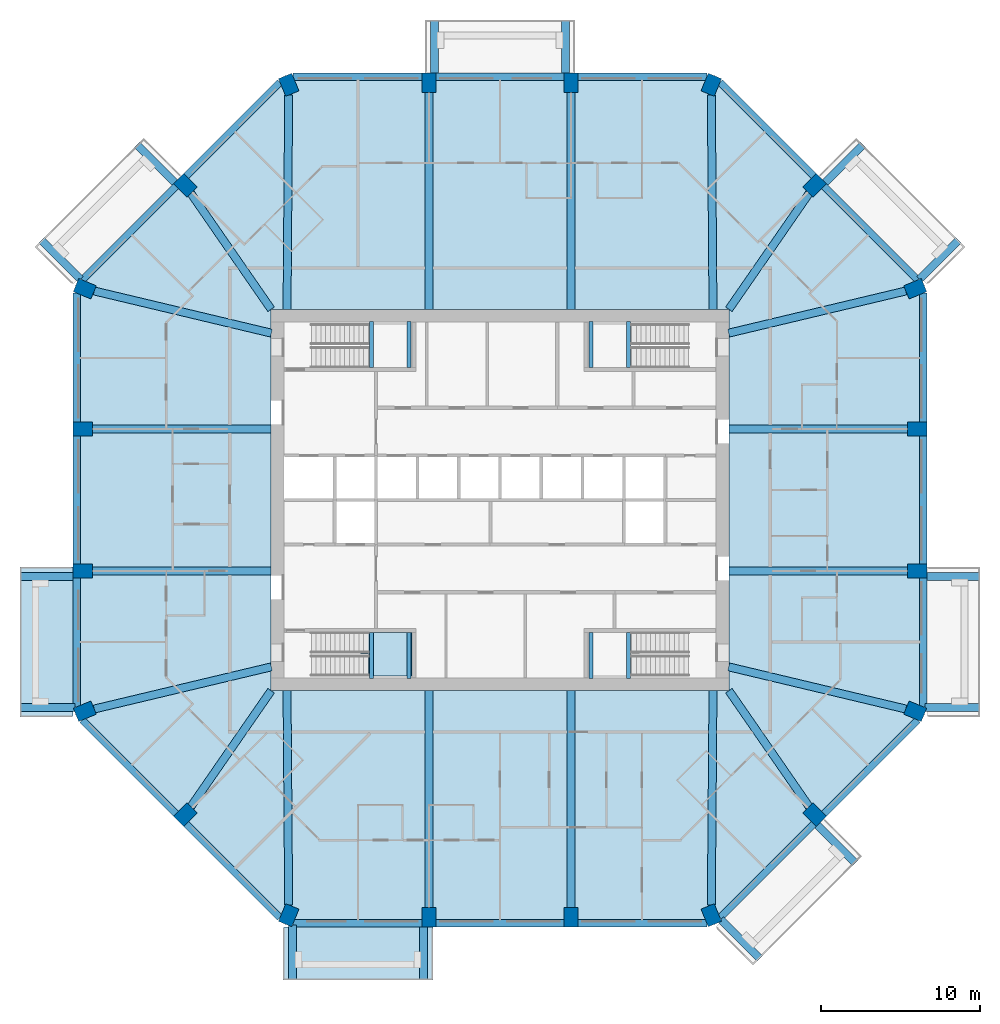
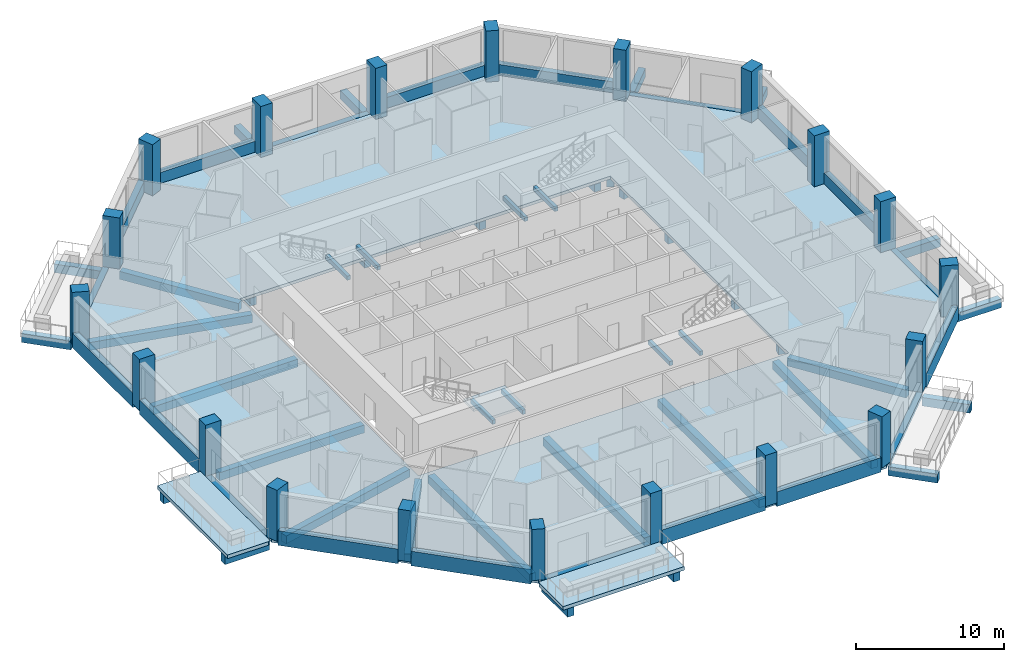
# One storey, part 1 of 12: 62 beams, 20 columns, 4 slabs, 1 element without a shape of its own.
"""IFC4 building model written with IfcOpenShell, lengths in metres."""

import ifcopenshell
import ifcopenshell.guid

model = None  # the IFC model being written
_history = None  # IfcOwnerHistory: only IFC2X3 demands one
_inside = {}  # id of a spatial element -> (the spatial element, [elements in it])
_under = {}  # id of a project, library or spatial element -> (it, [spatial elements below it])
_declared = {}  # id of a project -> (the project, [libraries it declares])
_typed = {}  # id of a type object -> (the type object, [elements of that type])
_made_of = {}  # id of a material, layer set ... -> (it, [elements and type objects made of it])


def new_model(schema):
    """Start an empty IFC model of exactly this schema.

    Asked for "IFC4X3", IfcOpenShell would pick the latest addendum, in which some entities
    have other attributes; the version numbers below select the first issue.
    IFC2X3 requires an IfcOwnerHistory on every rooted entity: one is made here for all.
    """
    global model, _history
    if schema == "IFC4X3":
        model = ifcopenshell.file(schema_version=(4, 3, 0, 0))
    else:
        model = ifcopenshell.file(schema=schema)
    _inside.clear()
    _under.clear()
    _declared.clear()
    _typed.clear()
    _made_of.clear()
    _history = None
    if model.schema == "IFC2X3":
        org = make("IfcOrganization", Name="unknown")
        user = make(
            "IfcPersonAndOrganization",
            ThePerson=make("IfcPerson", FamilyName="unknown"),
            TheOrganization=org,
        )
        app = make(
            "IfcApplication",
            ApplicationDeveloper=org,
            Version="unknown",
            ApplicationFullName="unknown",
            ApplicationIdentifier="unknown",
        )
        _history = make(
            "IfcOwnerHistory",
            OwningUser=user,
            OwningApplication=app,
            ChangeAction="ADDED",
            CreationDate=0,
        )
    return model


def make(cls, **values):
    """One entity of the class cls with the attributes given. An attribute that is None is left unset."""
    return model.create_entity(
        cls, **{name: value for name, value in values.items() if value is not None}
    )


def rooted(cls, **values):
    """An entity with a GlobalId (a new one), such as an element, a storey or a relation."""
    return make(cls, GlobalId=ifcopenshell.guid.new(), OwnerHistory=_history, **values)


def si_unit(unit_type, name, prefix=None):
    """IfcSIUnit, for example si_unit("LENGTHUNIT", "METRE", prefix="MILLI")."""
    return make("IfcSIUnit", UnitType=unit_type, Prefix=prefix, Name=name)


def assignment(units):
    """IfcUnitAssignment: the units of a project."""
    return None if units is None else make("IfcUnitAssignment", Units=units)


def point(xyz):
    """IfcCartesianPoint."""
    return None if xyz is None else make("IfcCartesianPoint", Coordinates=xyz)


def direction(xyz):
    """IfcDirection."""
    return None if xyz is None else make("IfcDirection", DirectionRatios=xyz)


def frame(location, z_axis=None, x_axis=None):
    """IfcAxis2Placement3D, a coordinate frame: its origin and axes. An axis left out is left unset."""
    return make(
        "IfcAxis2Placement3D",
        Location=point(location),
        Axis=direction(z_axis),
        RefDirection=direction(x_axis),
    )


def frame_2d(location, x_axis=None):
    """IfcAxis2Placement2D, a coordinate frame in the plane: its origin and x axis."""
    return make(
        "IfcAxis2Placement2D", Location=point(location), RefDirection=direction(x_axis)
    )


def origin():
    """The frame at (0, 0, 0) with its axes left unset."""
    return frame((0.0, 0.0, 0.0))


def origin_2d():
    """The frame at (0, 0) in the plane with its x axis left unset."""
    return frame_2d((0.0, 0.0))


def place(relative_to, where):
    """IfcLocalPlacement: puts the frame where relative to a parent placement (None: the world)."""
    return make(
        "IfcLocalPlacement", PlacementRelTo=relative_to, RelativePlacement=where
    )


def context(
    kind, dimensions, precision=None, world=None, true_north=None, identifier=None
):
    """IfcGeometricRepresentationContext, for example the 3D "Model" context."""
    return make(
        "IfcGeometricRepresentationContext",
        ContextIdentifier=identifier,
        ContextType=kind,
        CoordinateSpaceDimension=dimensions,
        Precision=precision,
        WorldCoordinateSystem=world,
        TrueNorth=true_north,
    )


def subcontext(parent, identifier, kind, view, scale=None):
    """IfcGeometricRepresentationSubContext, for example "Body" below "Model"."""
    return make(
        "IfcGeometricRepresentationSubContext",
        ContextIdentifier=identifier,
        ContextType=kind,
        ParentContext=parent,
        TargetScale=scale,
        TargetView=view,
    )


def project(units=None, contexts=None):
    """IfcProject with its units and contexts."""
    return rooted(
        "IfcProject",
        Name="project",
        RepresentationContexts=contexts,
        UnitsInContext=assignment(units),
    )


def spatial(cls, under=None, at=None, **own):
    """A site, building, storey or space (cls), placed at a placement, below another one or the project."""
    s = rooted(cls, ObjectPlacement=at, **own)
    if under is not None:
        _under.setdefault(under.id(), (under, []))[1].append(s)
    return s


def polyline(points):
    """IfcPolyline through the points."""
    return make("IfcPolyline", Points=[point(p) for p in points])


def profile(cls, at=None, kind="AREA", **sizes):
    """A parametric profile (cls). Its sizes go by their IFC names, for example OverallWidth=200.0."""
    return make(cls, ProfileType=kind, Position=at, **sizes)


def rectangle(**sizes):
    """IfcRectangleProfileDef."""
    return profile("IfcRectangleProfileDef", **sizes)


def outline(outer, holes=None, kind="AREA"):
    """IfcArbitraryClosedProfileDef: a profile drawn as a closed curve; with holes, ...WithVoids."""
    if holes is None:
        return make("IfcArbitraryClosedProfileDef", ProfileType=kind, OuterCurve=outer)
    return make(
        "IfcArbitraryProfileDefWithVoids",
        ProfileType=kind,
        OuterCurve=outer,
        InnerCurves=holes,
    )


def extrude(swept, where, along, depth):
    """IfcExtrudedAreaSolid: the profile swept, set in the frame where, extruded along a direction by depth."""
    return make(
        "IfcExtrudedAreaSolid",
        SweptArea=swept,
        Position=where,
        ExtrudedDirection=direction(along),
        Depth=depth,
    )


def shape(context_of_items, identifier, shape_type, items):
    """IfcShapeRepresentation: the items that make up one representation, for example the "Body"."""
    return make(
        "IfcShapeRepresentation",
        ContextOfItems=context_of_items,
        RepresentationIdentifier=identifier,
        RepresentationType=shape_type,
        Items=items,
    )


def material(Name=None, Category=None):
    """IfcMaterial."""
    return make("IfcMaterial", Name=Name, Category=Category)


def layer(
    of_material, thickness, ventilated=None, Name=None, Category=None, Priority=None
):
    """IfcMaterialLayer: one layer of a wall or slab, of a material (None: an air gap)."""
    return make(
        "IfcMaterialLayer",
        Material=of_material,
        LayerThickness=thickness,
        IsVentilated=ventilated,
        Name=Name,
        Category=Category,
        Priority=Priority,
    )


def layer_set(layers, Name=None):
    """IfcMaterialLayerSet."""
    return make("IfcMaterialLayerSet", MaterialLayers=layers, LayerSetName=Name)


def material_profile(
    of_material, cross_section, Name=None, Category=None, Priority=None
):
    """IfcMaterialProfile: a cross section and its material."""
    return make(
        "IfcMaterialProfile",
        Name=Name,
        Material=of_material,
        Profile=cross_section,
        Priority=Priority,
        Category=Category,
    )


def profile_set(profiles, Name=None, composite=None):
    """IfcMaterialProfileSet."""
    return make(
        "IfcMaterialProfileSet",
        Name=Name,
        MaterialProfiles=profiles,
        CompositeProfile=composite,
    )


def made_of(thing, what):
    """Note that an element or type object is made of a material, layer set ...; save() writes the relation."""
    if what is not None:
        _made_of.setdefault(what.id(), (what, []))[1].append(thing)
    return thing


def type_object(cls, material=None, **own):
    """A type object (cls), such as IfcWallType, which elements share."""
    return made_of(rooted(cls, **own), material)


def element(
    cls,
    number,
    at=None,
    inside=None,
    cuts=None,
    type_object=None,
    material=None,
    context=None,
    identifier="Body",
    shape_type=None,
    held_by="IfcProductDefinitionShape",
    body=None,
    shapes=None,
    **own,
):
    """One element of the class cls, such as IfcWall. Its Tag is "e" and its number.

    at: its placement. inside: the storey or other place that contains it. cuts: it is an
    opening in that element (IfcRelVoidsElement). A single representation is given by context,
    identifier, shape_type and body (its items); several are given by shapes. held_by: the class
    of the entity that holds the representations. save() writes the other relations.
    """
    e = rooted(cls, Tag="e%d" % number, ObjectPlacement=at, **own)
    if body is not None:
        shapes = [shape(context, identifier, shape_type, body)]
    if shapes is not None:
        e.Representation = make(held_by, Representations=shapes)
    if inside is not None:
        _inside.setdefault(inside.id(), (inside, []))[1].append(e)
    if cuts is not None:
        rooted(
            "IfcRelVoidsElement", RelatingBuildingElement=cuts, RelatedOpeningElement=e
        )
    if type_object is not None:
        _typed.setdefault(type_object.id(), (type_object, []))[1].append(e)
    return made_of(e, material)


def aggregate(whole, parts):
    """IfcRelAggregates: a whole, such as a stair, and the parts it consists of."""
    return rooted("IfcRelAggregates", RelatingObject=whole, RelatedObjects=parts)


def save(model, path):
    """Write the relations noted so far, then the file.

    IfcRelAggregates (storeys below a building ...), IfcRelContainedInSpatialStructure (elements
    in a storey), IfcRelDefinesByType, IfcRelAssociatesMaterial and IfcRelDeclares: one each for
    every whole, place, type object, material and project.
    """
    for whole, parts in _under.values():
        aggregate(whole, parts)
    for where, things in _inside.values():
        rooted(
            "IfcRelContainedInSpatialStructure",
            RelatedElements=things,
            RelatingStructure=where,
        )
    for kind, things in _typed.values():
        rooted("IfcRelDefinesByType", RelatedObjects=things, RelatingType=kind)
    for what, things in _made_of.values():
        rooted("IfcRelAssociatesMaterial", RelatedObjects=things, RelatingMaterial=what)
    for by, libraries in _declared.values():
        rooted("IfcRelDeclares", RelatingContext=by, RelatedDefinitions=libraries)
    model.write(path)


model = new_model("IFC4")

# Units and contexts
model_context = context("Model", 3, precision=1e-05, world=origin(), true_north=direction((0.0, 1.0)))
body_context = subcontext(model_context, "Body", "Model", "MODEL_VIEW")
ifc_project = project(units=[si_unit("LENGTHUNIT", "METRE"), si_unit("AREAUNIT", "SQUARE_METRE"), si_unit("VOLUMEUNIT", "CUBIC_METRE"), si_unit("PLANEANGLEUNIT", "RADIAN"), si_unit("MASSUNIT", "GRAM", prefix="KILO")], contexts=[model_context])

# Site, building, storey
site_placement = place(None, origin())
site = spatial("IfcSite", under=ifc_project, at=site_placement, CompositionType="ELEMENT")
building_placement = place(site_placement, origin())
building = spatial("IfcBuilding", under=site, at=building_placement, Name="Msitu Wima Residences", CompositionType="ELEMENT")
storey_placement = place(building_placement, frame((0.0, 0.0, 123.300048828125)))
storey = spatial("IfcBuildingStorey", under=building, at=storey_placement, Name="L28", CompositionType="ELEMENT", Elevation=123.300048828125)

# Columns
ifc_material_1 = material(Name="Concrete C70/85", Category="concrete")
ifc_material_profile_1 = material_profile(ifc_material_1, rectangle(XDim=0.89990234375, YDim=1.199951171875, at=origin_2d()), Name="RC 900x1200")
ifc_profile_set_1 = profile_set([ifc_material_profile_1], Name="Concrete C70/85")
column_type = type_object("IfcColumnType", Name="Column RC 900x1200 Concrete C70/85", PredefinedType="COLUMN", material=ifc_profile_set_1)
for number, where, z_axis, x_axis, name in (
    (1, (26.12353515625, -13.291259765625, 0.0), (0.0, 0.0, 1.0), (0.382683496864, 0.923879505795, 0.0), "Column L28 C-E0"),
    (2, (26.25, -4.46875, 0.0), (0.0, 0.0, 1.0), (0.0, 1.0, 0.0), "Column L28 C-E1"),
    (3, (26.25, 4.46875, 0.0), (0.0, 0.0, 1.0), (0.0, 1.0, 0.0), "Column L28 C-E2"),
    (4, (26.12353515625, 13.291259765625, 0.0), (0.0, 0.0, 1.0), (-0.382683496864, 0.923879505795, 0.0), "Column L28 C-NE0"),
    (5, (19.796875, 19.796875, 0.0), (0.0, 0.0, 1.0), (-0.707106781187, 0.707106781187, 0.0), "Column L28 C-NE1"),
    (6, (13.291259765625, 26.12353515625, 0.0), (0.0, 0.0, 1.0), (-0.923879505795, 0.382683496864, 0.0), "Column L28 C-N0"),
    (7, (4.46875, 26.25, 0.0), (0.0, 0.0, 1.0), (-1.0, 0.0, 0.0), "Column L28 C-N1"),
    (8, (-4.46875, 26.25, 0.0), (0.0, 0.0, 1.0), (-1.0, 0.0, 0.0), "Column L28 C-N2"),
    (9, (-13.291259765625, 26.12353515625, 0.0), (0.0, 0.0, 1.0), (-0.923879505795, -0.382683496864, 0.0), "Column L28 C-NW0"),
    (10, (-19.796875, 19.796875, 0.0), (0.0, 0.0, 1.0), (-0.707106781187, -0.707106781187, 0.0), "Column L28 C-NW1"),
    (11, (-26.12353515625, 13.291259765625, 0.0), (0.0, 0.0, 1.0), (-0.382683496864, -0.923879505795, 0.0), "Column L28 C-W0"),
    (12, (-26.25, 4.46875, 0.0), (0.0, 0.0, 1.0), (0.0, -1.0, 0.0), "Column L28 C-W1"),
    (13, (-26.25, -4.46875, 0.0), (0.0, 0.0, 1.0), (0.0, -1.0, 0.0), "Column L28 C-W2"),
    (14, (-26.12353515625, -13.291259765625, 0.0), (0.0, 0.0, 1.0), (0.382683496864, -0.923879505795, 0.0), "Column L28 C-SW0"),
    (15, (-19.796875, -19.796875, 0.0), (0.0, 0.0, 1.0), (0.707106781187, -0.707106781187, 0.0), "Column L28 C-SW1"),
    (16, (-13.291259765625, -26.12353515625, 0.0), (0.0, 0.0, 1.0), (0.923879505795, -0.382683496864, 0.0), "Column L28 C-S0"),
    (17, (-4.46875, -26.25, 0.0), (0.0, 0.0, 1.0), (1.0, 0.0, 0.0), "Column L28 C-S1"),
    (18, (4.46875, -26.25, 0.0), (0.0, 0.0, 1.0), (1.0, 0.0, 0.0), "Column L28 C-S2"),
    (19, (13.291259765625, -26.12353515625, 0.0), (0.0, 0.0, 1.0), (0.923879505795, 0.382683496864, 0.0), "Column L28 C-SE0"),
    (20, (19.796875, -19.796875, 0.0), (0.0, 0.0, 1.0), (0.707106781187, 0.707106781187, 0.0), "Column L28 C-SE1"),
):
    element("IfcColumn", number, at=place(storey_placement, frame(where, z_axis=z_axis, x_axis=x_axis)), inside=storey, type_object=column_type, Name=name, PredefinedType="COLUMN", context=body_context, shape_type="SweptSolid", body=[
        extrude(rectangle(XDim=0.89990234375, YDim=1.199951171875, at=origin_2d()), origin(), (0.0, 0.0, 1.0), 4.199951171875),
    ])

# Beams
ifc_material_2 = material(Name="Concrete C50/60", Category="concrete")
ifc_material_profile_2 = material_profile(ifc_material_2, rectangle(XDim=0.5, YDim=0.64990234375, at=origin_2d()), Name="RC 500x650")
ifc_profile_set_2 = profile_set([ifc_material_profile_2], Name="Concrete C50/60")
beam_type_1 = type_object("IfcBeamType", Name="Beam RC 500x650 Concrete C50/60", PredefinedType="BEAM", material=ifc_profile_set_2)
beam_1_placement = place(storey_placement, frame((25.5322265625, -13.150634765625, -0.574951171875), z_axis=(-0.972805528659, 0.231623408598, 0.0), x_axis=(-0.231623408598, -0.972805528659, 0.0)))
element("IfcBeam", 21, at=beam_1_placement, inside=storey, type_object=beam_type_1, Name="Beam L28 C-E0", PredefinedType="BEAM", context=body_context, shape_type="SweptSolid", body=[
    extrude(rectangle(XDim=0.5, YDim=0.64990234375, at=origin_2d()), origin(), (0.0, 0.0, 1.0), 11.455322265625),
])
for number, where, z_axis, x_axis, name in (
    (22, (25.64990234375, -4.46875, -0.574951171875), (-1.0, 0.0, 0.0), (0.0, -1.0, 0.0), "Beam L28 C-E1"),
    (23, (25.64990234375, 4.46875, -0.574951171875), (-1.0, 0.0, 0.0), (0.0, -1.0, 0.0), "Beam L28 C-E2"),
):
    element("IfcBeam", number, at=place(storey_placement, frame(where, z_axis=z_axis, x_axis=x_axis)), inside=storey, type_object=beam_type_1, Name=name, PredefinedType="BEAM", context=body_context, shape_type="SweptSolid", body=[
        extrude(rectangle(XDim=0.5, YDim=0.64990234375, at=origin_2d()), origin(), (0.0, 0.0, 1.0), 11.25),
    ])
beam_2_placement = place(storey_placement, frame((25.5322265625, 13.150634765625, -0.574951171875), z_axis=(-0.972805528659, -0.231623408598, 0.0), x_axis=(0.231623408598, -0.972805528659, 0.0)))
element("IfcBeam", 24, at=beam_2_placement, inside=storey, type_object=beam_type_1, Name="Beam L28 C-NE0", PredefinedType="BEAM", context=body_context, shape_type="SweptSolid", body=[
    extrude(rectangle(XDim=0.5, YDim=0.64990234375, at=origin_2d()), origin(), (0.0, 0.0, 1.0), 11.455322265625),
])
beam_3_placement = place(storey_placement, frame((19.44970703125, 19.29541015625, -0.574951171875), z_axis=(-0.569144158363, -0.822237755763, 0.0), x_axis=(0.822237755763, -0.569144158363, 0.0)))
element("IfcBeam", 25, at=beam_3_placement, inside=storey, type_object=beam_type_1, Name="Beam L28 C-NE1", PredefinedType="BEAM", context=body_context, shape_type="SweptSolid", body=[
    extrude(rectangle(XDim=0.5, YDim=0.64990234375, at=origin_2d()), origin(), (0.0, 0.0, 1.0), 8.87255859375),
])
beam_4_placement = place(storey_placement, frame((13.29638671875, 25.471923828125, -0.574951171875), z_axis=(0.007694865426, -0.999970394085, 0.0), x_axis=(0.999970394085, 0.007694865426, 0.0)))
element("IfcBeam", 26, at=beam_4_placement, inside=storey, type_object=beam_type_1, Name="Beam L28 C-N0", PredefinedType="BEAM", context=body_context, shape_type="SweptSolid", body=[
    extrude(rectangle(XDim=0.5, YDim=0.64990234375, at=origin_2d()), origin(), (0.0, 0.0, 1.0), 13.484375),
])
for number, where, z_axis, x_axis, name in (
    (27, (4.46875, 25.64990234375, -0.574951171875), (0.0, -1.0, 0.0), (1.0, 0.0, 0.0), "Beam L28 C-N1"),
    (28, (-4.46875, 25.64990234375, -0.574951171875), (0.0, -1.0, 0.0), (1.0, 0.0, 0.0), "Beam L28 C-N2"),
):
    element("IfcBeam", number, at=place(storey_placement, frame(where, z_axis=z_axis, x_axis=x_axis)), inside=storey, type_object=beam_type_1, Name=name, PredefinedType="BEAM", context=body_context, shape_type="SweptSolid", body=[
        extrude(rectangle(XDim=0.5, YDim=0.64990234375, at=origin_2d()), origin(), (0.0, 0.0, 1.0), 13.64990234375),
    ])
beam_5_placement = place(storey_placement, frame((-13.29638671875, 25.471923828125, -0.574951171875), z_axis=(-0.007694865426, -0.999970394085, 0.0), x_axis=(0.999970394085, -0.007694865426, 0.0)))
element("IfcBeam", 29, at=beam_5_placement, inside=storey, type_object=beam_type_1, Name="Beam L28 C-NW0", PredefinedType="BEAM", context=body_context, shape_type="SweptSolid", body=[
    extrude(rectangle(XDim=0.5, YDim=0.64990234375, at=origin_2d()), origin(), (0.0, 0.0, 1.0), 13.484375),
])
beam_6_placement = place(storey_placement, frame((-19.44970703125, 19.29541015625, -0.574951171875), z_axis=(0.569144158363, -0.822237755763, 0.0), x_axis=(0.822237755763, 0.569144158363, 0.0)))
element("IfcBeam", 30, at=beam_6_placement, inside=storey, type_object=beam_type_1, Name="Beam L28 C-NW1", PredefinedType="BEAM", context=body_context, shape_type="SweptSolid", body=[
    extrude(rectangle(XDim=0.5, YDim=0.64990234375, at=origin_2d()), origin(), (0.0, 0.0, 1.0), 8.87255859375),
])
beam_7_placement = place(storey_placement, frame((-25.5322265625, 13.150634765625, -0.574951171875), z_axis=(0.972805528659, -0.231623408598, 0.0), x_axis=(0.231623408598, 0.972805528659, 0.0)))
element("IfcBeam", 31, at=beam_7_placement, inside=storey, type_object=beam_type_1, Name="Beam L28 C-W0", PredefinedType="BEAM", context=body_context, shape_type="SweptSolid", body=[
    extrude(rectangle(XDim=0.5, YDim=0.64990234375, at=origin_2d()), origin(), (0.0, 0.0, 1.0), 11.455322265625),
])
for number, where, z_axis, x_axis, name in (
    (32, (-25.64990234375, 4.46875, -0.574951171875), (1.0, 0.0, 0.0), (0.0, 1.0, 0.0), "Beam L28 C-W1"),
    (33, (-25.64990234375, -4.46875, -0.574951171875), (1.0, 0.0, 0.0), (0.0, 1.0, 0.0), "Beam L28 C-W2"),
):
    element("IfcBeam", number, at=place(storey_placement, frame(where, z_axis=z_axis, x_axis=x_axis)), inside=storey, type_object=beam_type_1, Name=name, PredefinedType="BEAM", context=body_context, shape_type="SweptSolid", body=[
        extrude(rectangle(XDim=0.5, YDim=0.64990234375, at=origin_2d()), origin(), (0.0, 0.0, 1.0), 11.25),
    ])
beam_8_placement = place(storey_placement, frame((-25.5322265625, -13.150634765625, -0.574951171875), z_axis=(0.972805528659, 0.231623408598, 0.0), x_axis=(-0.231623408598, 0.972805528659, 0.0)))
element("IfcBeam", 34, at=beam_8_placement, inside=storey, type_object=beam_type_1, Name="Beam L28 C-SW0", PredefinedType="BEAM", context=body_context, shape_type="SweptSolid", body=[
    extrude(rectangle(XDim=0.5, YDim=0.64990234375, at=origin_2d()), origin(), (0.0, 0.0, 1.0), 11.455322265625),
])
beam_9_placement = place(storey_placement, frame((-19.44970703125, -19.29541015625, -0.574951171875), z_axis=(0.569144158363, 0.822237755763, 0.0), x_axis=(-0.822237755763, 0.569144158363, 0.0)))
element("IfcBeam", 35, at=beam_9_placement, inside=storey, type_object=beam_type_1, Name="Beam L28 C-SW1", PredefinedType="BEAM", context=body_context, shape_type="SweptSolid", body=[
    extrude(rectangle(XDim=0.5, YDim=0.64990234375, at=origin_2d()), origin(), (0.0, 0.0, 1.0), 8.87255859375),
])
beam_10_placement = place(storey_placement, frame((-13.29638671875, -25.471923828125, -0.574951171875), z_axis=(-0.007694865426, 0.999970394085, 0.0), x_axis=(-0.999970394085, -0.007694865426, 0.0)))
element("IfcBeam", 36, at=beam_10_placement, inside=storey, type_object=beam_type_1, Name="Beam L28 C-S0", PredefinedType="BEAM", context=body_context, shape_type="SweptSolid", body=[
    extrude(rectangle(XDim=0.5, YDim=0.64990234375, at=origin_2d()), origin(), (0.0, 0.0, 1.0), 13.484375),
])
for number, where, z_axis, x_axis, name in (
    (37, (-4.46875, -25.64990234375, -0.574951171875), (0.0, 1.0, 0.0), (-1.0, 0.0, 0.0), "Beam L28 C-S1"),
    (38, (4.46875, -25.64990234375, -0.574951171875), (0.0, 1.0, 0.0), (-1.0, 0.0, 0.0), "Beam L28 C-S2"),
):
    element("IfcBeam", number, at=place(storey_placement, frame(where, z_axis=z_axis, x_axis=x_axis)), inside=storey, type_object=beam_type_1, Name=name, PredefinedType="BEAM", context=body_context, shape_type="SweptSolid", body=[
        extrude(rectangle(XDim=0.5, YDim=0.64990234375, at=origin_2d()), origin(), (0.0, 0.0, 1.0), 13.64990234375),
    ])
beam_11_placement = place(storey_placement, frame((13.29638671875, -25.471923828125, -0.574951171875), z_axis=(0.007694865426, 0.999970394085, 0.0), x_axis=(-0.999970394085, 0.007694865426, 0.0)))
element("IfcBeam", 39, at=beam_11_placement, inside=storey, type_object=beam_type_1, Name="Beam L28 C-SE0", PredefinedType="BEAM", context=body_context, shape_type="SweptSolid", body=[
    extrude(rectangle(XDim=0.5, YDim=0.64990234375, at=origin_2d()), origin(), (0.0, 0.0, 1.0), 13.484375),
])
beam_12_placement = place(storey_placement, frame((19.44970703125, -19.29541015625, -0.574951171875), z_axis=(-0.569144158363, 0.822237755763, 0.0), x_axis=(-0.822237755763, -0.569144158363, 0.0)))
element("IfcBeam", 40, at=beam_12_placement, inside=storey, type_object=beam_type_1, Name="Beam L28 C-SE1", PredefinedType="BEAM", context=body_context, shape_type="SweptSolid", body=[
    extrude(rectangle(XDim=0.5, YDim=0.64990234375, at=origin_2d()), origin(), (0.0, 0.0, 1.0), 8.87255859375),
])
ifc_material_profile_3 = material_profile(ifc_material_2, rectangle(XDim=0.5, YDim=0.699951171875, at=origin_2d()), Name="RC 500x700")
ifc_profile_set_3 = profile_set([ifc_material_profile_3], Name="Concrete C50/60")
beam_type_2 = type_object("IfcBeamType", Name="Cantilever beam RC 500x700 Concrete C50/60", PredefinedType="BEAM", material=ifc_profile_set_3)
beam_13_placement = place(storey_placement, frame((26.73095703125, -13.055908203125, -0.650146484375), z_axis=(1.0, 0.0, 0.0), x_axis=(0.0, 1.0, 0.0)))
element("IfcBeam", 41, at=beam_13_placement, inside=storey, type_object=beam_type_2, Name="Cantilever beam L28 BA-E0 A", PredefinedType="BEAM", context=body_context, shape_type="SweptSolid", body=[
    extrude(rectangle(XDim=0.5, YDim=0.699951171875, at=origin_2d()), origin(), (0.0, 0.0, 1.0), 3.468994140625),
])
beam_14_placement = place(storey_placement, frame((26.85009765625, -4.818603515625, -0.650146484375), z_axis=(1.0, 0.0, 0.0), x_axis=(0.0, 1.0, 0.0)))
element("IfcBeam", 42, at=beam_14_placement, inside=storey, type_object=beam_type_2, Name="Cantilever beam L28 BA-E0 B", PredefinedType="BEAM", context=body_context, shape_type="SweptSolid", body=[
    extrude(rectangle(XDim=0.5, YDim=0.699951171875, at=origin_2d()), origin(), (0.0, 0.0, 1.0), 3.349853515625),
])
beam_15_placement = place(storey_placement, frame((26.386474609375, 13.887451171875, -0.650146484375), z_axis=(0.707141968506, 0.707071592116, 0.0), x_axis=(-0.707071592116, 0.707141968506, 0.0)))
element("IfcBeam", 43, at=beam_15_placement, inside=storey, type_object=beam_type_2, Name="Cantilever beam L28 BA-NE0 A", PredefinedType="BEAM", context=body_context, shape_type="SweptSolid", body=[
    extrude(rectangle(XDim=0.5, YDim=0.699951171875, at=origin_2d()), origin(), (0.0, 0.0, 1.0), 3.468994140625),
])
for number, where, z_axis, x_axis, name in (
    (44, (20.46875, 19.9736328125, -0.650146484375), (0.707070340836, 0.707143219659, 0.0), (-0.707143219659, 0.707070340836, 0.0), "Cantilever beam L28 BA-NE0 B"),
    (45, (4.11865234375, 26.85009765625, -0.650146484375), (0.0, 1.0, 0.0), (-1.0, 0.0, 0.0), "Cantilever beam L28 BA-N1 A"),
    (46, (-4.11865234375, 26.85009765625, -0.650146484375), (0.0, 1.0, 0.0), (-1.0, 0.0, 0.0), "Cantilever beam L28 BA-N1 B"),
    (47, (-20.46875, 19.9736328125, -0.650146484375), (-0.707070340836, 0.707143219659, 0.0), (-0.707143219659, -0.707070340836, 0.0), "Cantilever beam L28 BA-NW1 A"),
):
    element("IfcBeam", number, at=place(storey_placement, frame(where, z_axis=z_axis, x_axis=x_axis)), inside=storey, type_object=beam_type_2, Name=name, PredefinedType="BEAM", context=body_context, shape_type="SweptSolid", body=[
        extrude(rectangle(XDim=0.5, YDim=0.699951171875, at=origin_2d()), origin(), (0.0, 0.0, 1.0), 3.349853515625),
    ])
beam_16_placement = place(storey_placement, frame((-26.386474609375, 13.887451171875, -0.650146484375), z_axis=(-0.707141968506, 0.707071592116, 0.0), x_axis=(-0.707071592116, -0.707141968506, 0.0)))
element("IfcBeam", 48, at=beam_16_placement, inside=storey, type_object=beam_type_2, Name="Cantilever beam L28 BA-NW1 B", PredefinedType="BEAM", context=body_context, shape_type="SweptSolid", body=[
    extrude(rectangle(XDim=0.5, YDim=0.699951171875, at=origin_2d()), origin(), (0.0, 0.0, 1.0), 3.468994140625),
])
beam_17_placement = place(storey_placement, frame((-26.85009765625, -4.818603515625, -0.650146484375), z_axis=(-1.0, 0.0, 0.0), x_axis=(0.0, -1.0, 0.0)))
element("IfcBeam", 49, at=beam_17_placement, inside=storey, type_object=beam_type_2, Name="Cantilever beam L28 BA-W2 A", PredefinedType="BEAM", context=body_context, shape_type="SweptSolid", body=[
    extrude(rectangle(XDim=0.5, YDim=0.699951171875, at=origin_2d()), origin(), (0.0, 0.0, 1.0), 3.349853515625),
])
for number, where, z_axis, x_axis, name in (
    (50, (-26.73095703125, -13.055908203125, -0.650146484375), (-1.0, 0.0, 0.0), (0.0, -1.0, 0.0), "Cantilever beam L28 BA-W2 B"),
    (51, (-13.055908203125, -26.73095703125, -0.650146484375), (0.0, -1.0, 0.0), (1.0, 0.0, 0.0), "Cantilever beam L28 BA-S0 A"),
):
    element("IfcBeam", number, at=place(storey_placement, frame(where, z_axis=z_axis, x_axis=x_axis)), inside=storey, type_object=beam_type_2, Name=name, PredefinedType="BEAM", context=body_context, shape_type="SweptSolid", body=[
        extrude(rectangle(XDim=0.5, YDim=0.699951171875, at=origin_2d()), origin(), (0.0, 0.0, 1.0), 3.468994140625),
    ])
beam_18_placement = place(storey_placement, frame((-4.818603515625, -26.85009765625, -0.650146484375), z_axis=(0.0, -1.0, 0.0), x_axis=(1.0, 0.0, 0.0)))
element("IfcBeam", 52, at=beam_18_placement, inside=storey, type_object=beam_type_2, Name="Cantilever beam L28 BA-S0 B", PredefinedType="BEAM", context=body_context, shape_type="SweptSolid", body=[
    extrude(rectangle(XDim=0.5, YDim=0.699951171875, at=origin_2d()), origin(), (0.0, 0.0, 1.0), 3.349853515625),
])
beam_19_placement = place(storey_placement, frame((13.887451171875, -26.386474609375, -0.650146484375), z_axis=(0.707071592116, -0.707141968506, 0.0), x_axis=(0.707141968506, 0.707071592116, 0.0)))
element("IfcBeam", 53, at=beam_19_placement, inside=storey, type_object=beam_type_2, Name="Cantilever beam L28 BA-SE0 A", PredefinedType="BEAM", context=body_context, shape_type="SweptSolid", body=[
    extrude(rectangle(XDim=0.5, YDim=0.699951171875, at=origin_2d()), origin(), (0.0, 0.0, 1.0), 3.468994140625),
])
beam_20_placement = place(storey_placement, frame((19.9736328125, -20.46875, -0.650146484375), z_axis=(0.707143219659, -0.707070340836, 0.0), x_axis=(0.707070340836, 0.707143219659, 0.0)))
element("IfcBeam", 54, at=beam_20_placement, inside=storey, type_object=beam_type_2, Name="Cantilever beam L28 BA-SE0 B", PredefinedType="BEAM", context=body_context, shape_type="SweptSolid", body=[
    extrude(rectangle(XDim=0.5, YDim=0.699951171875, at=origin_2d()), origin(), (0.0, 0.0, 1.0), 3.349853515625),
])
ifc_material_profile_4 = material_profile(ifc_material_2, rectangle(XDim=0.449951171875, YDim=0.300048828125, at=origin_2d()), Name="RC 450x300")
ifc_profile_set_4 = profile_set([ifc_material_profile_4], Name="Concrete C50/60")
beam_type_3 = type_object("IfcBeamType", Name="Edge beam RC 450x300 Concrete C50/60", PredefinedType="SPANDREL", material=ifc_profile_set_4)
beam_21_placement = place(storey_placement, frame((26.625, -13.02392578125, -0.150146484375), z_axis=(0.0, 1.0, 0.0), x_axis=(-1.0, 0.0, 0.0)))
element("IfcBeam", 55, at=beam_21_placement, inside=storey, type_object=beam_type_3, Name="Spandrel L28 E0", PredefinedType="SPANDREL", context=body_context, shape_type="SweptSolid", body=[
    extrude(rectangle(XDim=0.449951171875, YDim=0.300048828125, at=origin_2d()), origin(), (0.0, 0.0, 1.0), 8.105224609375),
])
beam_22_placement = place(storey_placement, frame((26.2890625, 13.8349609375, -0.150146484375), z_axis=(-0.707106781187, 0.707106781187, 0.0), x_axis=(-0.707106781187, -0.707106781187, 0.0)))
element("IfcBeam", 56, at=beam_22_placement, inside=storey, type_object=beam_type_3, Name="Spandrel L28 NE0", PredefinedType="SPANDREL", context=body_context, shape_type="SweptSolid", body=[
    extrude(rectangle(XDim=0.449951171875, YDim=0.300048828125, at=origin_2d()), origin(), (0.0, 0.0, 1.0), 8.3564453125),
])
beam_23_placement = place(storey_placement, frame((4.0185546875, 26.625, -0.150146484375), z_axis=(-1.0, 0.0, 0.0), x_axis=(0.0, -1.0, 0.0)))
element("IfcBeam", 57, at=beam_23_placement, inside=storey, type_object=beam_type_3, Name="Spandrel L28 N1", PredefinedType="SPANDREL", context=body_context, shape_type="SweptSolid", body=[
    extrude(rectangle(XDim=0.449951171875, YDim=0.300048828125, at=origin_2d()), origin(), (0.0, 0.0, 1.0), 8.037109375),
])
beam_24_placement = place(storey_placement, frame((-20.380126953125, 19.743896484375, -0.150146484375), z_axis=(-0.707106781187, -0.707106781187, 0.0), x_axis=(0.707106781187, -0.707106781187, 0.0)))
element("IfcBeam", 58, at=beam_24_placement, inside=storey, type_object=beam_type_3, Name="Spandrel L28 NW1", PredefinedType="SPANDREL", context=body_context, shape_type="SweptSolid", body=[
    extrude(rectangle(XDim=0.449951171875, YDim=0.300048828125, at=origin_2d()), origin(), (0.0, 0.0, 1.0), 8.3564453125),
])
for number, where, z_axis, x_axis, name in (
    (59, (-26.625, -4.918701171875, -0.150146484375), (0.0, -1.0, 0.0), (1.0, 0.0, 0.0), "Spandrel L28 W2"),
    (60, (-13.02392578125, -26.625, -0.150146484375), (1.0, 0.0, 0.0), (0.0, 1.0, 0.0), "Spandrel L28 S0"),
):
    element("IfcBeam", number, at=place(storey_placement, frame(where, z_axis=z_axis, x_axis=x_axis)), inside=storey, type_object=beam_type_3, Name=name, PredefinedType="SPANDREL", context=body_context, shape_type="SweptSolid", body=[
        extrude(rectangle(XDim=0.449951171875, YDim=0.300048828125, at=origin_2d()), origin(), (0.0, 0.0, 1.0), 8.105224609375),
    ])
beam_25_placement = place(storey_placement, frame((13.8349609375, -26.2890625, -0.150146484375), z_axis=(0.707106781187, 0.707106781187, 0.0), x_axis=(-0.707106781187, 0.707106781187, 0.0)))
element("IfcBeam", 61, at=beam_25_placement, inside=storey, type_object=beam_type_3, Name="Spandrel L28 SE0", PredefinedType="SPANDREL", context=body_context, shape_type="SweptSolid", body=[
    extrude(rectangle(XDim=0.449951171875, YDim=0.300048828125, at=origin_2d()), origin(), (0.0, 0.0, 1.0), 8.3564453125),
])
ifc_material_3 = material(Name="Concrete C40/50", Category="concrete")
ifc_material_profile_5 = material_profile(ifc_material_3, rectangle(XDim=0.25, YDim=0.35009765625, at=origin_2d()), Name="RC 250x350")
ifc_profile_set_5 = profile_set([ifc_material_profile_5], Name="Concrete C40/50")
beam_type_4 = type_object("IfcBeamType", Name="Landing beam RC 250x350", PredefinedType="BEAM", material=ifc_profile_set_5)
for number, where, z_axis, x_axis, name in (
    (62, (-8.074951171875, 8.324951171875, 1.724853515625), (0.0, 1.0, 0.0), (-1.0, 0.0, 0.0), "Stair 1 landing beam"),
    (63, (-5.72509765625, 8.324951171875, 1.724853515625), (0.0, 1.0, 0.0), (-1.0, 0.0, 0.0), "Stair 1 landing beam"),
    (64, (-8.074951171875, -11.22509765625, 1.724853515625), (0.0, 1.0, 0.0), (-1.0, 0.0, 0.0), "Stair 2 landing beam"),
    (65, (-5.72509765625, -11.22509765625, 1.724853515625), (0.0, 1.0, 0.0), (-1.0, 0.0, 0.0), "Stair 2 landing beam"),
    (66, (8.074951171875, 8.324951171875, 1.724853515625), (0.0, 1.0, 0.0), (-1.0, 0.0, 0.0), "Stair 3 landing beam"),
    (67, (5.72509765625, 8.324951171875, 1.724853515625), (0.0, 1.0, 0.0), (-1.0, 0.0, 0.0), "Stair 3 landing beam"),
    (68, (8.074951171875, -11.22509765625, 1.724853515625), (0.0, 1.0, 0.0), (-1.0, 0.0, 0.0), "Stair 4 landing beam"),
    (69, (5.72509765625, -11.22509765625, 1.724853515625), (0.0, 1.0, 0.0), (-1.0, 0.0, 0.0), "Stair 4 landing beam"),
):
    element("IfcBeam", number, at=place(storey_placement, frame(where, z_axis=z_axis, x_axis=x_axis)), inside=storey, type_object=beam_type_4, Name=name, PredefinedType="BEAM", context=body_context, shape_type="SweptSolid", body=[
        extrude(rectangle(XDim=0.25, YDim=0.35009765625, at=origin_2d()), origin(), (0.0, 0.0, 1.0), 2.900146484375),
    ])
ifc_material_profile_6 = material_profile(ifc_material_2, rectangle(XDim=0.449951171875, YDim=1.199951171875, at=origin_2d()), Name="RC 450x1200")
ifc_profile_set_6 = profile_set([ifc_material_profile_6], Name="Concrete C50/60")
beam_type_5 = type_object("IfcBeamType", Name="Spandrel RC 450x1200 Concrete C50/60", PredefinedType="SPANDREL", material=ifc_profile_set_6)
beam_26_placement = place(storey_placement, frame((26.625, -4.0185546875, 0.300048828125), z_axis=(0.0, 1.0, 0.0), x_axis=(-1.0, 0.0, 0.0)))
element("IfcBeam", 70, at=beam_26_placement, inside=storey, type_object=beam_type_5, Name="Spandrel L28 E1", PredefinedType="SPANDREL", context=body_context, shape_type="SweptSolid", body=[
    extrude(rectangle(XDim=0.449951171875, YDim=1.199951171875, at=origin_2d()), origin(), (0.0, 0.0, 1.0), 8.037109375),
])
beam_27_placement = place(storey_placement, frame((26.625, 4.918701171875, 0.300048828125), z_axis=(0.0, 1.0, 0.0), x_axis=(-1.0, 0.0, 0.0)))
element("IfcBeam", 71, at=beam_27_placement, inside=storey, type_object=beam_type_5, Name="Spandrel L28 E2", PredefinedType="SPANDREL", context=body_context, shape_type="SweptSolid", body=[
    extrude(rectangle(XDim=0.449951171875, YDim=1.199951171875, at=origin_2d()), origin(), (0.0, 0.0, 1.0), 8.105224609375),
])
beam_28_placement = place(storey_placement, frame((19.743896484375, 20.380126953125, 0.300048828125), z_axis=(-0.707106781187, 0.707106781187, 0.0), x_axis=(-0.707106781187, -0.707106781187, 0.0)))
element("IfcBeam", 72, at=beam_28_placement, inside=storey, type_object=beam_type_5, Name="Spandrel L28 NE1", PredefinedType="SPANDREL", context=body_context, shape_type="SweptSolid", body=[
    extrude(rectangle(XDim=0.449951171875, YDim=1.199951171875, at=origin_2d()), origin(), (0.0, 0.0, 1.0), 8.3564453125),
])
for number, where, z_axis, x_axis, name in (
    (73, (13.02392578125, 26.625, 0.300048828125), (-1.0, 0.0, 0.0), (0.0, -1.0, 0.0), "Spandrel L28 N0"),
    (74, (-4.918701171875, 26.625, 0.300048828125), (-1.0, 0.0, 0.0), (0.0, -1.0, 0.0), "Spandrel L28 N2"),
):
    element("IfcBeam", number, at=place(storey_placement, frame(where, z_axis=z_axis, x_axis=x_axis)), inside=storey, type_object=beam_type_5, Name=name, PredefinedType="SPANDREL", context=body_context, shape_type="SweptSolid", body=[
        extrude(rectangle(XDim=0.449951171875, YDim=1.199951171875, at=origin_2d()), origin(), (0.0, 0.0, 1.0), 8.105224609375),
    ])
beam_29_placement = place(storey_placement, frame((-13.8349609375, 26.2890625, 0.300048828125), z_axis=(-0.707106781187, -0.707106781187, 0.0), x_axis=(0.707106781187, -0.707106781187, 0.0)))
element("IfcBeam", 75, at=beam_29_placement, inside=storey, type_object=beam_type_5, Name="Spandrel L28 NW0", PredefinedType="SPANDREL", context=body_context, shape_type="SweptSolid", body=[
    extrude(rectangle(XDim=0.449951171875, YDim=1.199951171875, at=origin_2d()), origin(), (0.0, 0.0, 1.0), 8.3564453125),
])
beam_30_placement = place(storey_placement, frame((-26.625, 13.02392578125, 0.300048828125), z_axis=(0.0, -1.0, 0.0), x_axis=(1.0, 0.0, 0.0)))
element("IfcBeam", 76, at=beam_30_placement, inside=storey, type_object=beam_type_5, Name="Spandrel L28 W0", PredefinedType="SPANDREL", context=body_context, shape_type="SweptSolid", body=[
    extrude(rectangle(XDim=0.449951171875, YDim=1.199951171875, at=origin_2d()), origin(), (0.0, 0.0, 1.0), 8.105224609375),
])
beam_31_placement = place(storey_placement, frame((-26.625, 4.0185546875, 0.300048828125), z_axis=(0.0, -1.0, 0.0), x_axis=(1.0, 0.0, 0.0)))
element("IfcBeam", 77, at=beam_31_placement, inside=storey, type_object=beam_type_5, Name="Spandrel L28 W1", PredefinedType="SPANDREL", context=body_context, shape_type="SweptSolid", body=[
    extrude(rectangle(XDim=0.449951171875, YDim=1.199951171875, at=origin_2d()), origin(), (0.0, 0.0, 1.0), 8.037109375),
])
for number, where, z_axis, x_axis, name in (
    (78, (-26.2890625, -13.8349609375, 0.300048828125), (0.707106781187, -0.707106781187, 0.0), (0.707106781187, 0.707106781187, 0.0), "Spandrel L28 SW0"),
    (79, (-19.743896484375, -20.380126953125, 0.300048828125), (0.707106781187, -0.707106781187, 0.0), (0.707106781187, 0.707106781187, 0.0), "Spandrel L28 SW1"),
):
    element("IfcBeam", number, at=place(storey_placement, frame(where, z_axis=z_axis, x_axis=x_axis)), inside=storey, type_object=beam_type_5, Name=name, PredefinedType="SPANDREL", context=body_context, shape_type="SweptSolid", body=[
        extrude(rectangle(XDim=0.449951171875, YDim=1.199951171875, at=origin_2d()), origin(), (0.0, 0.0, 1.0), 8.3564453125),
    ])
beam_32_placement = place(storey_placement, frame((-4.0185546875, -26.625, 0.300048828125), z_axis=(1.0, 0.0, 0.0), x_axis=(0.0, 1.0, 0.0)))
element("IfcBeam", 80, at=beam_32_placement, inside=storey, type_object=beam_type_5, Name="Spandrel L28 S1", PredefinedType="SPANDREL", context=body_context, shape_type="SweptSolid", body=[
    extrude(rectangle(XDim=0.449951171875, YDim=1.199951171875, at=origin_2d()), origin(), (0.0, 0.0, 1.0), 8.037109375),
])
beam_33_placement = place(storey_placement, frame((4.918701171875, -26.625, 0.300048828125), z_axis=(1.0, 0.0, 0.0), x_axis=(0.0, 1.0, 0.0)))
element("IfcBeam", 81, at=beam_33_placement, inside=storey, type_object=beam_type_5, Name="Spandrel L28 S2", PredefinedType="SPANDREL", context=body_context, shape_type="SweptSolid", body=[
    extrude(rectangle(XDim=0.449951171875, YDim=1.199951171875, at=origin_2d()), origin(), (0.0, 0.0, 1.0), 8.105224609375),
])
beam_34_placement = place(storey_placement, frame((20.380126953125, -19.743896484375, 0.300048828125), z_axis=(0.707106781187, 0.707106781187, 0.0), x_axis=(-0.707106781187, 0.707106781187, 0.0)))
element("IfcBeam", 82, at=beam_34_placement, inside=storey, type_object=beam_type_5, Name="Spandrel L28 SE1", PredefinedType="SPANDREL", context=body_context, shape_type="SweptSolid", body=[
    extrude(rectangle(XDim=0.449951171875, YDim=1.199951171875, at=origin_2d()), origin(), (0.0, 0.0, 1.0), 8.3564453125),
])

# Slabs
ifc_layer_1 = layer(ifc_material_3, 0.300048828125)
ifc_layer_set_1 = layer_set([ifc_layer_1], Name="Concrete C40/50")
slab_type_1 = type_object("IfcSlabType", Name="Balcony slab BS300", PredefinedType="FLOOR", material=ifc_layer_set_1)
slab_1_placement = place(storey_placement, frame((0.0, 0.0, -0.300048828125)))
element("IfcSlab", 83, at=slab_1_placement, inside=storey, type_object=slab_type_1, Name="Balcony W2 L28", PredefinedType="FLOOR", context=body_context, shape_type="SweptSolid", body=[
    extrude(outline(polyline([(-26.85009765625, -13.105224609375), (-26.85009765625, -13.105224609375), (-26.85009765625, -13.59228515625), (-27.003662109375, -13.656005859375), (-30.199951171875, -13.656005859375), (-30.199951171875, -4.21875), (-26.85009765625, -4.21875), (-26.85009765625, -4.918701171875), (-26.85009765625, -4.918701171875), (-26.85009765625, -13.105224609375), (-26.85009765625, -13.105224609375)])), origin(), (0.0, 0.0, 1.0), 0.300048828125),
])
slab_2_placement = place(storey_placement, frame((0.0, 0.0, -0.300048828125)))
element("IfcSlab", 84, at=slab_2_placement, inside=storey, type_object=slab_type_1, Name="Balcony S0 L28", PredefinedType="FLOOR", context=body_context, shape_type="SweptSolid", body=[
    extrude(outline(polyline([(-13.105224609375, -26.85009765625), (-13.105224609375, -26.85009765625), (-4.918701171875, -26.85009765625), (-4.918701171875, -26.85009765625), (-4.21875, -26.85009765625), (-4.21875, -30.199951171875), (-13.656005859375, -30.199951171875), (-13.656005859375, -27.003662109375), (-13.59228515625, -26.85009765625), (-13.105224609375, -26.85009765625), (-13.105224609375, -26.85009765625)])), origin(), (0.0, 0.0, 1.0), 0.300048828125),
])
ifc_layer_2 = layer(ifc_material_3, 0.25)
ifc_layer_set_2 = layer_set([ifc_layer_2], Name="Concrete C40/50")
slab_type_2 = type_object("IfcSlabType", Name="PT flat slab 250 Concrete C40/50", PredefinedType="FLOOR", material=ifc_layer_set_2)
slab_3_placement = place(storey_placement, frame((0.0, 0.0, -0.25)))
element("IfcSlab", 85, at=slab_3_placement, inside=storey, type_object=slab_type_2, Name="Floor slab L28", PredefinedType="FLOOR", context=body_context, shape_type="SweptSolid", body=[
    extrude(outline(polyline([(26.699951171875, -13.5302734375), (13.5302734375, -26.699951171875), (-13.5302734375, -26.699951171875), (-26.699951171875, -13.5302734375), (-26.699951171875, 13.5302734375), (-13.5302734375, 26.699951171875), (13.5302734375, 26.699951171875), (26.699951171875, 13.5302734375), (26.699951171875, -13.5302734375)]), holes=[polyline([(-14.39990234375, -12.0), (14.39990234375, -12.0), (14.39990234375, 12.0), (-14.39990234375, 12.0), (-14.39990234375, -12.0)])]), origin(), (0.0, 0.0, 1.0), 0.25),
])

# Stair, slab
stair_type = type_object("IfcStairType", Name="Exit stair ES1615-130", PredefinedType="HALF_TURN_STAIR", material=ifc_material_3)
stair_placement = place(storey_placement, origin())
stair = element("IfcStair", 86, at=stair_placement, inside=storey, type_object=stair_type, Name="Exit stair 2", PredefinedType="HALF_TURN_STAIR")
ifc_layer_3 = layer(ifc_material_3, 0.199951171875)
ifc_layer_set_3 = layer_set([ifc_layer_3], Name="Concrete C40/50")
slab_type_3 = type_object("IfcSlabType", Name="Stair landing SL200", PredefinedType="LANDING", material=ifc_layer_set_3)
slab_4_placement = place(storey_placement, frame((0.0, 0.0, 1.89990234375)))
slab_4 = element("IfcSlab", 87, at=slab_4_placement, type_object=slab_type_3, Name="S2 landing 1", PredefinedType="LANDING", context=body_context, shape_type="SweptSolid", body=[
    extrude(outline(polyline([(-5.52490234375, -11.074951171875), (-8.275390625, -11.074951171875), (-8.275390625, -9.699951171875), (-8.77490234375, -9.699951171875), (-8.77490234375, -8.324951171875), (-5.52490234375, -8.324951171875), (-5.52490234375, -11.074951171875)])), origin(), (0.0, 0.0, 1.0), 0.199951171875),
])
aggregate(stair, [slab_4])

save(model, "model.ifc")
